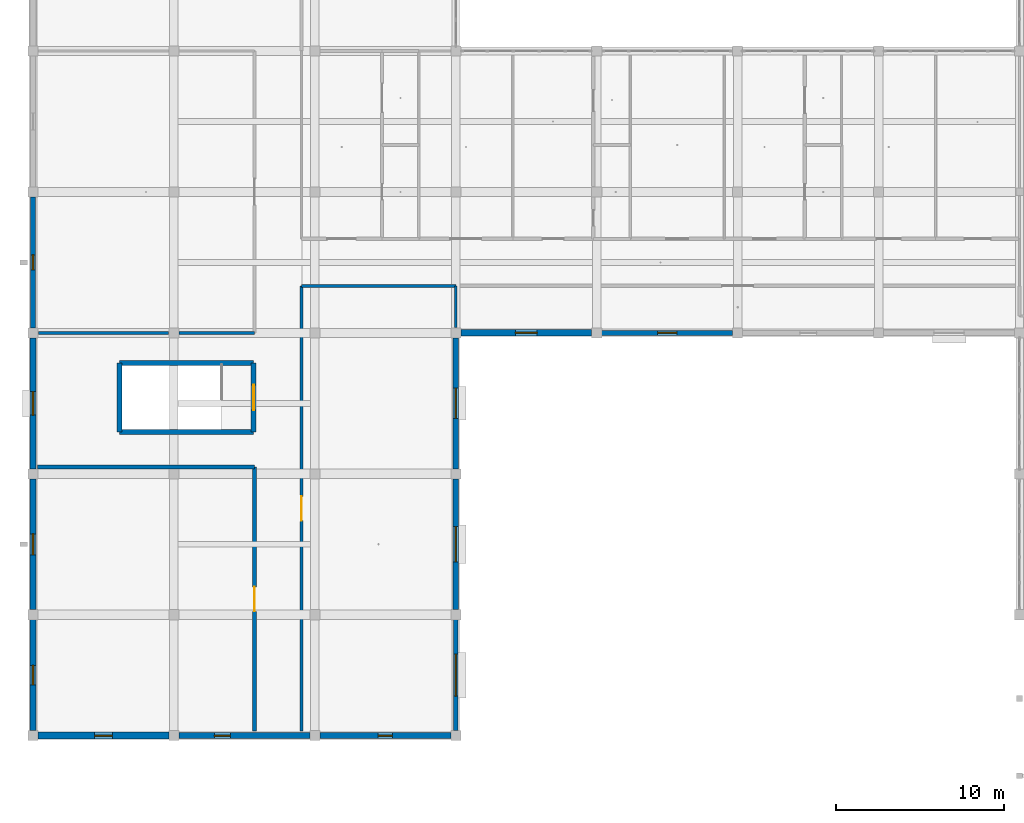
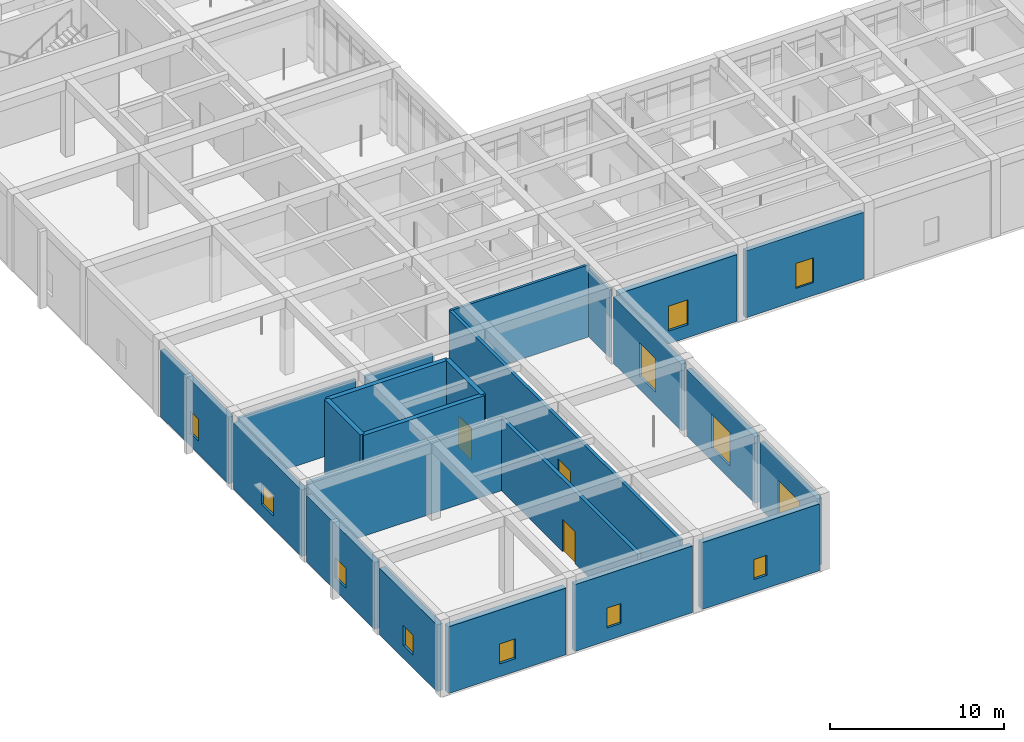
# One storey, part 75 of 157: 23 walls, 12 windows, 3 doors, 15 openings.
"""IFC4 building model written with IfcOpenShell, lengths in metres."""

from ifc_helpers import new_model, si_unit, direction, frame, frame_2d, origin, place, context, subcontext, project, spatial, rectangle, extrude, material, layer, layer_set, type_object, element, fill, save


model = new_model("IFC4")

# Units and contexts
model_context = context("Model", 3, precision=1e-05, world=origin(), true_north=direction((0.0, 1.0)))
body_context = subcontext(model_context, "Body", "Model", "MODEL_VIEW")
ifc_project = project(units=[si_unit("LENGTHUNIT", "METRE"), si_unit("AREAUNIT", "SQUARE_METRE"), si_unit("VOLUMEUNIT", "CUBIC_METRE"), si_unit("PLANEANGLEUNIT", "RADIAN"), si_unit("MASSUNIT", "GRAM", prefix="KILO")], contexts=[model_context])

# Site, building, storey
site_placement = place(None, origin())
site = spatial("IfcSite", under=ifc_project, at=site_placement, CompositionType="ELEMENT")
building_placement = place(site_placement, origin())
building = spatial("IfcBuilding", under=site, at=building_placement, Name="Varncliffe General Hospital", CompositionType="ELEMENT")
storey_placement = place(building_placement, frame((0.0, 0.0, 5.39990234375)))
storey = spatial("IfcBuildingStorey", under=building, at=storey_placement, Name="L01", CompositionType="ELEMENT", Elevation=5.39990234375)

# Wall, opening, window
ifc_material_1 = material(Name="Precast concrete C40/50 with insulated cream lime-cement stucco", Category="concrete")
ifc_layer_1 = layer(ifc_material_1, 0.31005859375)
ifc_layer_set_1 = layer_set([ifc_layer_1], Name="Precast concrete C40/50 with insulated cream lime-cement stucco")
wall_type_1 = type_object("IfcWallType", Name="Exterior Insulated Stucco Wall EW20 (310mm)", PredefinedType="SOLIDWALL", material=ifc_layer_set_1)
wall_1_placement = place(storey_placement, frame((25.199951171875, 15.302001953125, 0.0), z_axis=(0.0, 0.0, 1.0), x_axis=(0.0, -1.0, 0.0)))
wall_1 = element("IfcWall", 1, at=wall_1_placement, inside=storey, type_object=wall_type_1, Name="L01 Exterior Stucco Wall EW20-92", PredefinedType="SOLIDWALL", context=body_context, shape_type="SweptSolid", body=[
    extrude(rectangle(XDim=7.803955078125, YDim=0.31005859375, at=frame_2d((3.90185546875, 0.0))), origin(), (0.0, 0.0, 1.0), 4.68017578125),
])
opening_1_placement = place(wall_1_placement, frame((2.85205078125, 0.0, 0.89990234375)))
opening_1 = element("IfcOpeningElement", 2, at=opening_1_placement, cuts=wall_1, Name="Opening WN50", PredefinedType="OPENING", context=body_context, shape_type="SweptSolid", body=[
    extrude(rectangle(XDim=2.10009765625, YDim=2.35009765625, at=frame_2d((1.050048828125, 1.175048828125))), frame((0.0, 0.1650390625, 0.0), z_axis=(0.0, -1.0, 0.0), x_axis=(1.0, 0.0, 0.0)), (0.0, 0.0, 1.0), 0.330078125),
])
ifc_material_2 = material(Name="Triple low-E argon insulated vision glazing", Category="glass")
window_type_1 = type_object("IfcWindowType", Name="Triple-Glazed Hospital Window WN50 (2100x2350)", PartitioningType="DOUBLE_PANEL_VERTICAL", PredefinedType="WINDOW", material=ifc_material_2)
window_1_placement = place(opening_1_placement, origin())
window_1 = element("IfcWindow", 3, at=window_1_placement, inside=storey, type_object=window_type_1, Name="L01 Hospital Window WN50-43", OverallHeight=2.35009765625, OverallWidth=2.10009765625, PartitioningType="DOUBLE_PANEL_VERTICAL", PredefinedType="WINDOW", context=body_context, shape_type="SweptSolid", body=[
    extrude(rectangle(XDim=2.10009765625, YDim=2.35009765625, at=frame_2d((1.050048828125, 1.175048828125))), frame((0.0, 0.030029296875, 0.0), z_axis=(0.0, -1.0, 0.0), x_axis=(1.0, 0.0, 0.0)), (0.0, 0.0, 1.0), 0.06005859375),
])
fill(opening_1, window_1)

wall_2_placement = place(storey_placement, frame((0.0, 24.298095703125, 0.0), z_axis=(0.0, 0.0, 1.0), x_axis=(0.0, 1.0, 0.0)))
wall_2 = element("IfcWall", 4, at=wall_2_placement, inside=storey, type_object=wall_type_1, Name="L01 Exterior Stucco Wall EW20-100", PredefinedType="SOLIDWALL", context=body_context, shape_type="SweptSolid", body=[
    extrude(rectangle(XDim=7.803955078125, YDim=0.31005859375, at=frame_2d((3.90185546875, 0.0))), origin(), (0.0, 0.0, 1.0), 4.68017578125),
])
opening_2_placement = place(wall_2_placement, frame((3.451904296875, 0.0, 0.89990234375)))
opening_2 = element("IfcOpeningElement", 5, at=opening_2_placement, cuts=wall_2, Name="Opening WN45", PredefinedType="OPENING", context=body_context, shape_type="SweptSolid", body=[
    extrude(rectangle(XDim=0.89990234375, YDim=1.550048828125, at=frame_2d((0.449951171875, 0.77490234375))), frame((0.0, 0.1650390625, 0.0), z_axis=(0.0, -1.0, 0.0), x_axis=(1.0, 0.0, 0.0)), (0.0, 0.0, 1.0), 0.330078125),
])
window_type_2 = type_object("IfcWindowType", Name="Triple-Glazed Hospital Window WN45 (900x1550)", PartitioningType="SINGLE_PANEL", PredefinedType="WINDOW", material=ifc_material_2)
window_2_placement = place(opening_2_placement, origin())
window_2 = element("IfcWindow", 6, at=window_2_placement, inside=storey, type_object=window_type_2, Name="L01 Hospital Window WN45-51", OverallHeight=1.550048828125, OverallWidth=0.89990234375, PartitioningType="SINGLE_PANEL", PredefinedType="WINDOW", context=body_context, shape_type="SweptSolid", body=[
    extrude(rectangle(XDim=0.89990234375, YDim=1.550048828125, at=frame_2d((0.449951171875, 0.77490234375))), frame((0.0, 0.030029296875, 0.0), z_axis=(0.0, -1.0, 0.0), x_axis=(1.0, 0.0, 0.0)), (0.0, 0.0, 1.0), 0.06005859375),
])
fill(opening_2, window_2)

ifc_layer_2 = layer(ifc_material_1, 0.3798828125)
ifc_layer_set_2 = layer_set([ifc_layer_2], Name="Precast concrete C40/50 with insulated cream lime-cement stucco")
wall_type_2 = type_object("IfcWallType", Name="Exterior Insulated Stucco Wall EW26 (380mm)", PredefinedType="SOLIDWALL", material=ifc_layer_set_2)
wall_3_placement = place(storey_placement, frame((24.902099609375, 0.0, 0.0), z_axis=(0.0, 0.0, 1.0), x_axis=(-1.0, 0.0, 0.0)))
wall_3 = element("IfcWall", 7, at=wall_3_placement, inside=storey, type_object=wall_type_2, Name="L01 Exterior Stucco Wall EW26-94", PredefinedType="SOLIDWALL", context=body_context, shape_type="SweptSolid", body=[
    extrude(rectangle(XDim=7.80419921875, YDim=0.3798828125, at=frame_2d((3.902099609375, 0.0))), origin(), (0.0, 0.0, 1.0), 4.68017578125),
])
opening_3_placement = place(wall_3_placement, frame((3.47705078125, 0.0, 0.89990234375)))
opening_3 = element("IfcOpeningElement", 8, at=opening_3_placement, cuts=wall_3, Name="Opening WN77", PredefinedType="OPENING", context=body_context, shape_type="SweptSolid", body=[
    extrude(rectangle(XDim=0.85009765625, YDim=1.39990234375, at=frame_2d((0.425048828125, 0.699951171875))), frame((0.0, 0.199951171875, 0.0), z_axis=(0.0, -1.0, 0.0), x_axis=(1.0, 0.0, 0.0)), (0.0, 0.0, 1.0), 0.39990234375),
])
window_type_3 = type_object("IfcWindowType", Name="Triple-Glazed Hospital Window WN77 (850x1400)", PartitioningType="SINGLE_PANEL", PredefinedType="WINDOW", material=ifc_material_2)
window_3_placement = place(opening_3_placement, origin())
window_3 = element("IfcWindow", 9, at=window_3_placement, inside=storey, type_object=window_type_3, Name="L01 Hospital Window WN77-45", OverallHeight=1.39990234375, OverallWidth=0.85009765625, PartitioningType="SINGLE_PANEL", PredefinedType="WINDOW", context=body_context, shape_type="SweptSolid", body=[
    extrude(rectangle(XDim=0.85009765625, YDim=1.39990234375, at=frame_2d((0.425048828125, 0.699951171875))), frame((0.0, 0.030029296875, 0.0), z_axis=(0.0, -1.0, 0.0), x_axis=(1.0, 0.0, 0.0)), (0.0, 0.0, 1.0), 0.06005859375),
])
fill(opening_3, window_3)

wall_4_placement = place(storey_placement, frame((0.0, 0.298095703125, 0.0), z_axis=(0.0, 0.0, 1.0), x_axis=(0.0, 1.0, 0.0)))
wall_4 = element("IfcWall", 10, at=wall_4_placement, inside=storey, type_object=wall_type_2, Name="L01 Exterior Stucco Wall EW26-97", PredefinedType="SOLIDWALL", context=body_context, shape_type="SweptSolid", body=[
    extrude(rectangle(XDim=6.60400390625, YDim=0.3798828125, at=frame_2d((3.302001953125, 0.0))), origin(), (0.0, 0.0, 1.0), 4.68017578125),
])
opening_4_placement = place(wall_4_placement, frame((2.72705078125, 0.0, 0.89990234375)))
opening_4 = element("IfcOpeningElement", 11, at=opening_4_placement, cuts=wall_4, Name="Opening WN62", PredefinedType="OPENING", context=body_context, shape_type="SweptSolid", body=[
    extrude(rectangle(XDim=1.14990234375, YDim=1.39990234375, at=frame_2d((0.574951171875, 0.699951171875))), frame((0.0, 0.199951171875, 0.0), z_axis=(0.0, -1.0, 0.0), x_axis=(1.0, 0.0, 0.0)), (0.0, 0.0, 1.0), 0.39990234375),
])
window_type_4 = type_object("IfcWindowType", Name="Triple-Glazed Hospital Window WN62 (1150x1400)", PartitioningType="SINGLE_PANEL", PredefinedType="WINDOW", material=ifc_material_2)
window_4_placement = place(opening_4_placement, origin())
window_4 = element("IfcWindow", 12, at=window_4_placement, inside=storey, type_object=window_type_4, Name="L01 Hospital Window WN62-48", OverallHeight=1.39990234375, OverallWidth=1.14990234375, PartitioningType="SINGLE_PANEL", PredefinedType="WINDOW", context=body_context, shape_type="SweptSolid", body=[
    extrude(rectangle(XDim=1.14990234375, YDim=1.39990234375, at=frame_2d((0.574951171875, 0.699951171875))), frame((0.0, 0.030029296875, 0.0), z_axis=(0.0, -1.0, 0.0), x_axis=(1.0, 0.0, 0.0)), (0.0, 0.0, 1.0), 0.06005859375),
])
fill(opening_4, window_4)

wall_5_placement = place(storey_placement, frame((33.302001953125, 24.0, 0.0), z_axis=(0.0, 0.0, 1.0), x_axis=(-1.0, 0.0, 0.0)))
wall_5 = element("IfcWall", 13, at=wall_5_placement, inside=storey, type_object=wall_type_2, Name="L01 Exterior Stucco Wall EW26-166", PredefinedType="SOLIDWALL", context=body_context, shape_type="SweptSolid", body=[
    extrude(rectangle(XDim=7.803955078125, YDim=0.3798828125, at=frame_2d((3.90185546875, 0.0))), origin(), (0.0, 0.0, 1.0), 4.68017578125),
])
opening_5_placement = place(wall_5_placement, frame((3.251953125, 0.0, 0.89990234375)))
opening_5 = element("IfcOpeningElement", 14, at=opening_5_placement, cuts=wall_5, Name="Opening WN40", PredefinedType="OPENING", context=body_context, shape_type="SweptSolid", body=[
    extrude(rectangle(XDim=1.300048828125, YDim=1.75, at=frame_2d((0.64990234375, 0.875))), frame((0.0, 0.199951171875, 0.0), z_axis=(0.0, -1.0, 0.0), x_axis=(1.0, 0.0, 0.0)), (0.0, 0.0, 1.0), 0.39990234375),
])
window_type_5 = type_object("IfcWindowType", Name="Triple-Glazed Hospital Window WN40 (1300x1750)", PartitioningType="SINGLE_PANEL", PredefinedType="WINDOW", material=ifc_material_2)
window_5_placement = place(opening_5_placement, origin())
window_5 = element("IfcWindow", 15, at=window_5_placement, inside=storey, type_object=window_type_5, Name="L01 Hospital Window WN40-105", OverallHeight=1.75, OverallWidth=1.300048828125, PartitioningType="SINGLE_PANEL", PredefinedType="WINDOW", context=body_context, shape_type="SweptSolid", body=[
    extrude(rectangle(XDim=1.300048828125, YDim=1.75, at=frame_2d((0.64990234375, 0.875))), frame((0.0, 0.030029296875, 0.0), z_axis=(0.0, -1.0, 0.0), x_axis=(1.0, 0.0, 0.0)), (0.0, 0.0, 1.0), 0.06005859375),
])
fill(opening_5, window_5)

ifc_layer_3 = layer(ifc_material_1, 0.2900390625)
ifc_layer_set_3 = layer_set([ifc_layer_3], Name="Precast concrete C40/50 with insulated cream lime-cement stucco")
wall_type_3 = type_object("IfcWallType", Name="Exterior Insulated Stucco Wall EW31 (290mm)", PredefinedType="SOLIDWALL", material=ifc_layer_set_3)
wall_6_placement = place(storey_placement, frame((25.199951171875, 6.902099609375, 0.0), z_axis=(0.0, 0.0, 1.0), x_axis=(0.0, -1.0, 0.0)))
wall_6 = element("IfcWall", 16, at=wall_6_placement, inside=storey, type_object=wall_type_3, Name="L01 Exterior Stucco Wall EW31-93", PredefinedType="SOLIDWALL", context=body_context, shape_type="SweptSolid", body=[
    extrude(rectangle(XDim=6.60400390625, YDim=0.2900390625, at=frame_2d((3.302001953125, 0.0))), origin(), (0.0, 0.0, 1.0), 4.68017578125),
])
opening_6_placement = place(wall_6_placement, frame((2.052001953125, 0.0, 0.89990234375)))
opening_6 = element("IfcOpeningElement", 17, at=opening_6_placement, cuts=wall_6, Name="Opening WN80", PredefinedType="OPENING", context=body_context, shape_type="SweptSolid", body=[
    extrude(rectangle(XDim=2.5, YDim=2.35009765625, at=frame_2d((1.25, 1.175048828125))), frame((0.0, 0.155029296875, 0.0), z_axis=(0.0, -1.0, 0.0), x_axis=(1.0, 0.0, 0.0)), (0.0, 0.0, 1.0), 0.31005859375),
])
window_type_6 = type_object("IfcWindowType", Name="Triple-Glazed Hospital Window WN80 (2500x2350)", PartitioningType="DOUBLE_PANEL_VERTICAL", PredefinedType="WINDOW", material=ifc_material_2)
window_6_placement = place(opening_6_placement, origin())
window_6 = element("IfcWindow", 18, at=window_6_placement, inside=storey, type_object=window_type_6, Name="L01 Hospital Window WN80-44", OverallHeight=2.35009765625, OverallWidth=2.5, PartitioningType="DOUBLE_PANEL_VERTICAL", PredefinedType="WINDOW", context=body_context, shape_type="SweptSolid", body=[
    extrude(rectangle(XDim=2.5, YDim=2.35009765625, at=frame_2d((1.25, 1.175048828125))), frame((0.0, 0.030029296875, 0.0), z_axis=(0.0, -1.0, 0.0), x_axis=(1.0, 0.0, 0.0)), (0.0, 0.0, 1.0), 0.06005859375),
])
fill(opening_6, window_6)

wall_7_placement = place(storey_placement, frame((41.701904296875, 24.0, 0.0), z_axis=(0.0, 0.0, 1.0), x_axis=(-1.0, 0.0, 0.0)))
wall_7 = element("IfcWall", 19, at=wall_7_placement, inside=storey, type_object=wall_type_3, Name="L01 Exterior Stucco Wall EW31-165", PredefinedType="SOLIDWALL", context=body_context, shape_type="SweptSolid", body=[
    extrude(rectangle(XDim=7.803955078125, YDim=0.2900390625, at=frame_2d((3.90185546875, 0.0))), origin(), (0.0, 0.0, 1.0), 4.68017578125),
])
opening_7_placement = place(wall_7_placement, frame((3.326904296875, 0.0, 0.89990234375)))
opening_7 = element("IfcOpeningElement", 20, at=opening_7_placement, cuts=wall_7, Name="Opening WN60", PredefinedType="OPENING", context=body_context, shape_type="SweptSolid", body=[
    extrude(rectangle(XDim=1.14990234375, YDim=1.75, at=frame_2d((0.574951171875, 0.875))), frame((0.0, 0.155029296875, 0.0), z_axis=(0.0, -1.0, 0.0), x_axis=(1.0, 0.0, 0.0)), (0.0, 0.0, 1.0), 0.31005859375),
])
window_type_7 = type_object("IfcWindowType", Name="Triple-Glazed Hospital Window WN60 (1150x1750)", PartitioningType="SINGLE_PANEL", PredefinedType="WINDOW", material=ifc_material_2)
window_7_placement = place(opening_7_placement, origin())
window_7 = element("IfcWindow", 21, at=window_7_placement, inside=storey, type_object=window_type_7, Name="L01 Hospital Window WN60-104", OverallHeight=1.75, OverallWidth=1.14990234375, PartitioningType="SINGLE_PANEL", PredefinedType="WINDOW", context=body_context, shape_type="SweptSolid", body=[
    extrude(rectangle(XDim=1.14990234375, YDim=1.75, at=frame_2d((0.574951171875, 0.875))), frame((0.0, 0.030029296875, 0.0), z_axis=(0.0, -1.0, 0.0), x_axis=(1.0, 0.0, 0.0)), (0.0, 0.0, 1.0), 0.06005859375),
])
fill(opening_7, window_7)

ifc_layer_4 = layer(ifc_material_1, 0.330078125)
ifc_layer_set_4 = layer_set([ifc_layer_4], Name="Precast concrete C40/50 with insulated cream lime-cement stucco")
wall_type_4 = type_object("IfcWallType", Name="Exterior Insulated Stucco Wall EW33 (330mm)", PredefinedType="SOLIDWALL", material=ifc_layer_set_4)
wall_8_placement = place(storey_placement, frame((25.199951171875, 23.701904296875, 0.0), z_axis=(0.0, 0.0, 1.0), x_axis=(0.0, -1.0, 0.0)))
wall_8 = element("IfcWall", 22, at=wall_8_placement, inside=storey, type_object=wall_type_4, Name="L01 Exterior Stucco Wall EW33-91", PredefinedType="SOLIDWALL", context=body_context, shape_type="SweptSolid", body=[
    extrude(rectangle(XDim=7.803955078125, YDim=0.330078125, at=frame_2d((3.90185546875, 0.0))), origin(), (0.0, 0.0, 1.0), 4.68017578125),
])
opening_8_placement = place(wall_8_placement, frame((3.001953125, 0.0, 0.89990234375)))
opening_8 = element("IfcOpeningElement", 23, at=opening_8_placement, cuts=wall_8, Name="Opening WN12", PredefinedType="OPENING", context=body_context, shape_type="SweptSolid", body=[
    extrude(rectangle(XDim=1.800048828125, YDim=2.35009765625, at=frame_2d((0.89990234375, 1.175048828125))), frame((0.0, 0.175048828125, 0.0), z_axis=(0.0, -1.0, 0.0), x_axis=(1.0, 0.0, 0.0)), (0.0, 0.0, 1.0), 0.35009765625),
])
window_type_8 = type_object("IfcWindowType", Name="Triple-Glazed Hospital Window WN12 (1800x2350)", PartitioningType="DOUBLE_PANEL_VERTICAL", PredefinedType="WINDOW", material=ifc_material_2)
window_8_placement = place(opening_8_placement, origin())
window_8 = element("IfcWindow", 24, at=window_8_placement, inside=storey, type_object=window_type_8, Name="L01 Hospital Window WN12-42", OverallHeight=2.35009765625, OverallWidth=1.800048828125, PartitioningType="DOUBLE_PANEL_VERTICAL", PredefinedType="WINDOW", context=body_context, shape_type="SweptSolid", body=[
    extrude(rectangle(XDim=1.800048828125, YDim=2.35009765625, at=frame_2d((0.89990234375, 1.175048828125))), frame((0.0, 0.030029296875, 0.0), z_axis=(0.0, -1.0, 0.0), x_axis=(1.0, 0.0, 0.0)), (0.0, 0.0, 1.0), 0.06005859375),
])
fill(opening_8, window_8)

wall_9_placement = place(storey_placement, frame((0.0, 15.89794921875, 0.0), z_axis=(0.0, 0.0, 1.0), x_axis=(0.0, 1.0, 0.0)))
wall_9 = element("IfcWall", 25, at=wall_9_placement, inside=storey, type_object=wall_type_4, Name="L01 Exterior Stucco Wall EW33-99", PredefinedType="SOLIDWALL", context=body_context, shape_type="SweptSolid", body=[
    extrude(rectangle(XDim=7.803955078125, YDim=0.330078125, at=frame_2d((3.90185546875, 0.0))), origin(), (0.0, 0.0, 1.0), 4.68017578125),
])
opening_9_placement = place(wall_9_placement, frame((3.201904296875, 0.0, 0.89990234375)))
opening_9 = element("IfcOpeningElement", 26, at=opening_9_placement, cuts=wall_9, Name="Opening WN76", PredefinedType="OPENING", context=body_context, shape_type="SweptSolid", body=[
    extrude(rectangle(XDim=1.39990234375, YDim=1.39990234375, at=frame_2d((0.699951171875, 0.699951171875))), frame((0.0, 0.175048828125, 0.0), z_axis=(0.0, -1.0, 0.0), x_axis=(1.0, 0.0, 0.0)), (0.0, 0.0, 1.0), 0.35009765625),
])
window_type_9 = type_object("IfcWindowType", Name="Triple-Glazed Hospital Window WN76 (1400x1400)", PartitioningType="SINGLE_PANEL", PredefinedType="WINDOW", material=ifc_material_2)
window_9_placement = place(opening_9_placement, origin())
window_9 = element("IfcWindow", 27, at=window_9_placement, inside=storey, type_object=window_type_9, Name="L01 Hospital Window WN76-50", OverallHeight=1.39990234375, OverallWidth=1.39990234375, PartitioningType="SINGLE_PANEL", PredefinedType="WINDOW", context=body_context, shape_type="SweptSolid", body=[
    extrude(rectangle(XDim=1.39990234375, YDim=1.39990234375, at=frame_2d((0.699951171875, 0.699951171875))), frame((0.0, 0.030029296875, 0.0), z_axis=(0.0, -1.0, 0.0), x_axis=(1.0, 0.0, 0.0)), (0.0, 0.0, 1.0), 0.06005859375),
])
fill(opening_9, window_9)

ifc_layer_5 = layer(ifc_material_1, 0.35009765625)
ifc_layer_set_5 = layer_set([ifc_layer_5], Name="Precast concrete C40/50 with insulated cream lime-cement stucco")
wall_type_5 = type_object("IfcWallType", Name="Exterior Insulated Stucco Wall EW37 (350mm)", PredefinedType="SOLIDWALL", material=ifc_layer_set_5)
wall_10_placement = place(storey_placement, frame((16.501953125, 0.0, 0.0), z_axis=(0.0, 0.0, 1.0), x_axis=(-1.0, 0.0, 0.0)))
wall_10 = element("IfcWall", 28, at=wall_10_placement, inside=storey, type_object=wall_type_5, Name="L01 Exterior Stucco Wall EW37-95", PredefinedType="SOLIDWALL", context=body_context, shape_type="SweptSolid", body=[
    extrude(rectangle(XDim=7.803955078125, YDim=0.35009765625, at=frame_2d((3.90185546875, 0.0))), origin(), (0.0, 0.0, 1.0), 4.68017578125),
])
opening_10_placement = place(wall_10_placement, frame((4.73681640625, 0.0, 0.89990234375)))
opening_10 = element("IfcOpeningElement", 29, at=opening_10_placement, cuts=wall_10, Name="Opening WN39", PredefinedType="OPENING", context=body_context, shape_type="SweptSolid", body=[
    extrude(rectangle(XDim=0.949951171875, YDim=1.39990234375, at=frame_2d((0.47509765625, 0.699951171875))), frame((0.0, 0.18505859375, 0.0), z_axis=(0.0, -1.0, 0.0), x_axis=(1.0, 0.0, 0.0)), (0.0, 0.0, 1.0), 0.3701171875),
])
window_type_10 = type_object("IfcWindowType", Name="Triple-Glazed Hospital Window WN39 (950x1400)", PartitioningType="SINGLE_PANEL", PredefinedType="WINDOW", material=ifc_material_2)
window_10_placement = place(opening_10_placement, origin())
window_10 = element("IfcWindow", 30, at=window_10_placement, inside=storey, type_object=window_type_10, Name="L01 Hospital Window WN39-46", OverallHeight=1.39990234375, OverallWidth=0.949951171875, PartitioningType="SINGLE_PANEL", PredefinedType="WINDOW", context=body_context, shape_type="SweptSolid", body=[
    extrude(rectangle(XDim=0.949951171875, YDim=1.39990234375, at=frame_2d((0.47509765625, 0.699951171875))), frame((0.0, 0.030029296875, 0.0), z_axis=(0.0, -1.0, 0.0), x_axis=(1.0, 0.0, 0.0)), (0.0, 0.0, 1.0), 0.06005859375),
])
fill(opening_10, window_10)

wall_11_placement = place(storey_placement, frame((0.0, 7.498046875, 0.0), z_axis=(0.0, 0.0, 1.0), x_axis=(0.0, 1.0, 0.0)))
wall_11 = element("IfcWall", 31, at=wall_11_placement, inside=storey, type_object=wall_type_5, Name="L01 Exterior Stucco Wall EW37-98", PredefinedType="SOLIDWALL", context=body_context, shape_type="SweptSolid", body=[
    extrude(rectangle(XDim=7.803955078125, YDim=0.35009765625, at=frame_2d((3.90185546875, 0.0))), origin(), (0.0, 0.0, 1.0), 4.68017578125),
])
opening_11_placement = place(wall_11_placement, frame((3.277099609375, 0.0, 0.89990234375)))
opening_11 = element("IfcOpeningElement", 32, at=opening_11_placement, cuts=wall_11, Name="Opening WN43", PredefinedType="OPENING", context=body_context, shape_type="SweptSolid", body=[
    extrude(rectangle(XDim=1.25, YDim=1.39990234375, at=frame_2d((0.625, 0.699951171875))), frame((0.0, 0.18505859375, 0.0), z_axis=(0.0, -1.0, 0.0), x_axis=(1.0, 0.0, 0.0)), (0.0, 0.0, 1.0), 0.3701171875),
])
window_type_11 = type_object("IfcWindowType", Name="Triple-Glazed Hospital Window WN43 (1250x1400)", PartitioningType="SINGLE_PANEL", PredefinedType="WINDOW", material=ifc_material_2)
window_11_placement = place(opening_11_placement, origin())
window_11 = element("IfcWindow", 33, at=window_11_placement, inside=storey, type_object=window_type_11, Name="L01 Hospital Window WN43-49", OverallHeight=1.39990234375, OverallWidth=1.25, PartitioningType="SINGLE_PANEL", PredefinedType="WINDOW", context=body_context, shape_type="SweptSolid", body=[
    extrude(rectangle(XDim=1.25, YDim=1.39990234375, at=frame_2d((0.625, 0.699951171875))), frame((0.0, 0.030029296875, 0.0), z_axis=(0.0, -1.0, 0.0), x_axis=(1.0, 0.0, 0.0)), (0.0, 0.0, 1.0), 0.06005859375),
])
fill(opening_11, window_11)

ifc_layer_6 = layer(ifc_material_1, 0.39990234375)
ifc_layer_set_6 = layer_set([ifc_layer_6], Name="Precast concrete C40/50 with insulated cream lime-cement stucco")
wall_type_6 = type_object("IfcWallType", Name="Exterior Insulated Stucco Wall EW47 (400mm)", PredefinedType="SOLIDWALL", material=ifc_layer_set_6)
wall_12_placement = place(storey_placement, frame((8.10205078125, 0.0, 0.0), z_axis=(0.0, 0.0, 1.0), x_axis=(-1.0, 0.0, 0.0)))
wall_12 = element("IfcWall", 34, at=wall_12_placement, inside=storey, type_object=wall_type_6, Name="L01 Exterior Stucco Wall EW47-96", PredefinedType="SOLIDWALL", context=body_context, shape_type="SweptSolid", body=[
    extrude(rectangle(XDim=7.803955078125, YDim=0.39990234375, at=frame_2d((3.90185546875, 0.0))), origin(), (0.0, 0.0, 1.0), 4.68017578125),
])
opening_12_placement = place(wall_12_placement, frame((3.376953125, 0.0, 0.89990234375)))
opening_12 = element("IfcOpeningElement", 35, at=opening_12_placement, cuts=wall_12, Name="Opening WN68", PredefinedType="OPENING", context=body_context, shape_type="SweptSolid", body=[
    extrude(rectangle(XDim=1.050048828125, YDim=1.39990234375, at=frame_2d((0.52490234375, 0.699951171875))), frame((0.0, 0.2099609375, 0.0), z_axis=(0.0, -1.0, 0.0), x_axis=(1.0, 0.0, 0.0)), (0.0, 0.0, 1.0), 0.419921875),
])
window_type_12 = type_object("IfcWindowType", Name="Triple-Glazed Hospital Window WN68 (1050x1400)", PartitioningType="SINGLE_PANEL", PredefinedType="WINDOW", material=ifc_material_2)
window_12_placement = place(opening_12_placement, origin())
window_12 = element("IfcWindow", 36, at=window_12_placement, inside=storey, type_object=window_type_12, Name="L01 Hospital Window WN68-47", OverallHeight=1.39990234375, OverallWidth=1.050048828125, PartitioningType="SINGLE_PANEL", PredefinedType="WINDOW", context=body_context, shape_type="SweptSolid", body=[
    extrude(rectangle(XDim=1.050048828125, YDim=1.39990234375, at=frame_2d((0.52490234375, 0.699951171875))), frame((0.0, 0.030029296875, 0.0), z_axis=(0.0, -1.0, 0.0), x_axis=(1.0, 0.0, 0.0)), (0.0, 0.0, 1.0), 0.06005859375),
])
fill(opening_12, window_12)

# Walls
ifc_material_3 = material(Name="Acoustic clinical gypsum stud partition assembly", Category="gypsum")
ifc_layer_7 = layer(ifc_material_3, 0.169921875)
ifc_layer_set_7 = layer_set([ifc_layer_7], Name="Acoustic clinical gypsum stud partition assembly")
wall_type_7 = type_object("IfcWallType", Name="Interior Partitioning IW20 (170mm)", PredefinedType="PARTITIONING", material=ifc_layer_set_7)
wall_13_placement = place(storey_placement, frame((0.31494140625, 24.0, 0.0), z_axis=(0.0, 0.0, 1.0), x_axis=(1.0, 0.0, 0.0)))
element("IfcWall", 37, at=wall_13_placement, inside=storey, type_object=wall_type_7, Name="L01 Interior Partition Wall IW20-430", PredefinedType="PARTITIONING", context=body_context, shape_type="SweptSolid", body=[
    extrude(rectangle(XDim=7.77001953125, YDim=0.169921875, at=frame_2d((3.885009765625, 0.0))), origin(), (0.0, 0.0, 1.0), 4.68505859375),
])
wall_14_placement = place(storey_placement, frame((8.715087890625, 24.0, 0.0), z_axis=(0.0, 0.0, 1.0), x_axis=(1.0, 0.0, 0.0)))
element("IfcWall", 38, at=wall_14_placement, inside=storey, type_object=wall_type_7, Name="L01 Interior Partition Wall IW20-431", PredefinedType="PARTITIONING", context=body_context, shape_type="SweptSolid", body=[
    extrude(rectangle(XDim=4.48486328125, YDim=0.169921875, at=frame_2d((2.242431640625, 0.0))), origin(), (0.0, 0.0, 1.0), 4.68505859375),
])
wall_15_placement = place(storey_placement, frame((16.0, 26.800048828125, 0.0), z_axis=(0.0, 0.0, 1.0), x_axis=(1.0, 0.0, 0.0)))
element("IfcWall", 39, at=wall_15_placement, inside=storey, type_object=wall_type_7, Name="L01 Interior Partition Wall IW20-435", PredefinedType="PARTITIONING", context=body_context, shape_type="SweptSolid", body=[
    extrude(rectangle(XDim=9.199951171875, YDim=0.169921875, at=frame_2d((4.60009765625, 0.0))), origin(), (0.0, 0.0, 1.0), 5.050048828125),
])
ifc_layer_8 = layer(ifc_material_3, 0.14990234375)
ifc_layer_set_8 = layer_set([ifc_layer_8], Name="Acoustic clinical gypsum stud partition assembly")
wall_type_8 = type_object("IfcWallType", Name="Interior Partitioning IW35 (150mm)", PredefinedType="PARTITIONING", material=ifc_layer_set_8)
wall_16_placement = place(storey_placement, frame((25.199951171875, 24.31494140625, 0.0), z_axis=(0.0, 0.0, 1.0), x_axis=(0.0, 1.0, 0.0)))
element("IfcWall", 40, at=wall_16_placement, inside=storey, type_object=wall_type_8, Name="L01 Interior Partition Wall IW35-704", PredefinedType="PARTITIONING", context=body_context, shape_type="SweptSolid", body=[
    extrude(rectangle(XDim=2.485107421875, YDim=0.14990234375, at=frame_2d((1.24267578125, 0.0))), origin(), (0.0, 0.0, 1.0), 4.735107421875),
])
ifc_material_4 = material(Name="Fire-rated gypsum and mineral-wool partition assembly", Category="gypsum")
ifc_layer_9 = layer(ifc_material_4, 0.22998046875)
ifc_layer_set_9 = layer_set([ifc_layer_9], Name="Fire-rated gypsum and mineral-wool partition assembly")
wall_type_9 = type_object("IfcWallType", Name="Interior Partitioning PW48 (230mm)", PredefinedType="PARTITIONING", material=ifc_layer_set_9)
wall_17_placement = place(storey_placement, frame((0.260009765625, 16.0, 0.0), z_axis=(0.0, 0.0, 1.0), x_axis=(1.0, 0.0, 0.0)))
element("IfcWall", 41, at=wall_17_placement, inside=storey, type_object=wall_type_9, Name="L01 Interior Partition Wall PW48-428", PredefinedType="PARTITIONING", context=body_context, shape_type="SweptSolid", body=[
    extrude(rectangle(XDim=12.93994140625, YDim=0.22998046875, at=frame_2d((6.469970703125, 0.0))), origin(), (0.0, 0.0, 1.0), 5.050048828125),
])

# Wall, opening, door
wall_18_placement = place(storey_placement, frame((13.199951171875, 0.260009765625, 0.0), z_axis=(0.0, 0.0, 1.0), x_axis=(0.0, 1.0, 0.0)))
wall_18 = element("IfcWall", 42, at=wall_18_placement, inside=storey, type_object=wall_type_9, Name="L01 Interior Partition Wall PW48-678", PredefinedType="PARTITIONING", context=body_context, shape_type="SweptSolid", body=[
    extrude(rectangle(XDim=15.739990234375, YDim=0.22998046875, at=frame_2d((7.8701171875, 0.0))), origin(), (0.0, 0.0, 1.0), 5.050048828125),
])
opening_13_placement = place(wall_18_placement, frame((7.14501953125, 0.0, 0.0)))
opening_13 = element("IfcOpeningElement", 43, at=opening_13_placement, cuts=wall_18, Name="Opening DC66", PredefinedType="OPENING", context=body_context, shape_type="SweptSolid", body=[
    extrude(rectangle(XDim=1.449951171875, YDim=2.25, at=frame_2d((0.72509765625, 1.125))), frame((0.0, 0.125, 0.0), z_axis=(0.0, -1.0, 0.0), x_axis=(1.0, 0.0, 0.0)), (0.0, 0.0, 1.0), 0.25),
])
ifc_material_5 = material(Name="Fire-rated hospital steel-frame vision-panel door", Category="steel")
door_type_1 = type_object("IfcDoorType", Name="Interior Hospital Door DC66 (1450x2250)", OperationType="NOTDEFINED", PredefinedType="DOOR", material=ifc_material_5)
door_1_placement = place(opening_13_placement, origin())
door_1 = element("IfcDoor", 44, at=door_1_placement, inside=storey, type_object=door_type_1, Name="L01 Emergency Clinical Equipment Store Door", OperationType="SINGLE_SWING_RIGHT", OverallHeight=2.25, OverallWidth=1.449951171875, PredefinedType="DOOR", context=body_context, shape_type="SweptSolid", body=[
    extrude(rectangle(XDim=1.449951171875, YDim=2.25, at=frame_2d((0.72509765625, 1.125))), frame((0.0, 0.02490234375, 0.0), z_axis=(0.0, -1.0, 0.0), x_axis=(1.0, 0.0, 0.0)), (0.0, 0.0, 1.0), 0.050048828125),
])
fill(opening_13, door_1)

ifc_layer_10 = layer(ifc_material_4, 0.199951171875)
ifc_layer_set_10 = layer_set([ifc_layer_10], Name="Fire-rated gypsum and mineral-wool partition assembly")
wall_type_10 = type_object("IfcWallType", Name="Interior Partitioning PW63 (200mm)", PredefinedType="PARTITIONING", material=ifc_layer_set_10)
wall_19_placement = place(storey_placement, frame((16.0, 0.260009765625, 0.0), z_axis=(0.0, 0.0, 1.0), x_axis=(0.0, 1.0, 0.0)))
wall_19 = element("IfcWall", 45, at=wall_19_placement, inside=storey, type_object=wall_type_10, Name="L01 Interior Partition Wall PW63-685", PredefinedType="PARTITIONING", context=body_context, shape_type="SweptSolid", body=[
    extrude(rectangle(XDim=26.5400390625, YDim=0.199951171875, at=frame_2d((13.27001953125, 0.0))), origin(), (0.0, 0.0, 1.0), 5.050048828125),
])
opening_14_placement = place(wall_19_placement, frame((12.544921875, 0.0, 0.0)))
opening_14 = element("IfcOpeningElement", 46, at=opening_14_placement, cuts=wall_19, Name="Opening DC66", PredefinedType="OPENING", context=body_context, shape_type="SweptSolid", body=[
    extrude(rectangle(XDim=1.449951171875, YDim=2.25, at=frame_2d((0.72509765625, 1.125))), frame((0.0, 0.10986328125, 0.0), z_axis=(0.0, -1.0, 0.0), x_axis=(1.0, 0.0, 0.0)), (0.0, 0.0, 1.0), 0.219970703125),
])
door_2_placement = place(opening_14_placement, frame((1.449951171875, 0.0, 0.0), z_axis=(0.0, 0.0, 1.0), x_axis=(-1.0, 0.0, 0.0)))
door_2 = element("IfcDoor", 47, at=door_2_placement, inside=storey, type_object=door_type_1, Name="L01 Emergency Sub-Acute Assessment Unit Door", OperationType="SINGLE_SWING_LEFT", OverallHeight=2.25, OverallWidth=1.449951171875, PredefinedType="DOOR", context=body_context, shape_type="SweptSolid", body=[
    extrude(rectangle(XDim=1.449951171875, YDim=2.25, at=frame_2d((0.72509765625, 1.125))), frame((0.0, 0.02490234375, 0.0), z_axis=(0.0, -1.0, 0.0), x_axis=(1.0, 0.0, 0.0)), (0.0, 0.0, 1.0), 0.050048828125),
])
fill(opening_14, door_2)

# Walls
ifc_material_6 = material(Name="Concrete C40/50 (CSA A23.1 40 MPa)", Category="concrete")
ifc_layer_11 = layer(ifc_material_6, 0.300048828125)
ifc_layer_set_11 = layer_set([ifc_layer_11], Name="Concrete C40/50 (CSA A23.1 40 MPa)")
wall_type_11 = type_object("IfcWallType", Name="Reinforced Concrete Core Shear Wall CW12 (300mm)", PredefinedType="SHEAR", material=ifc_layer_set_11)
wall_20_placement = place(storey_placement, frame((13.14990234375, 22.199951171875, 0.0), z_axis=(0.0, 0.0, 1.0), x_axis=(-1.0, 0.0, 0.0)))
element("IfcWall", 48, at=wall_20_placement, inside=storey, type_object=wall_type_11, Name="L01 ST08 Core Shear Wall L", PredefinedType="SHEAR", context=body_context, shape_type="SweptSolid", body=[
    extrude(rectangle(XDim=8.0, YDim=0.300048828125, at=frame_2d((4.0, 0.0))), origin(), (0.0, 0.0, 1.0), 5.400146484375),
])
wall_21_placement = place(storey_placement, frame((5.14990234375, 22.199951171875, 0.0), z_axis=(0.0, 0.0, 1.0), x_axis=(0.0, -1.0, 0.0)))
element("IfcWall", 49, at=wall_21_placement, inside=storey, type_object=wall_type_11, Name="L01 ST08 Core Shear Wall F", PredefinedType="SHEAR", context=body_context, shape_type="SweptSolid", body=[
    extrude(rectangle(XDim=4.099853515625, YDim=0.300048828125, at=frame_2d((2.0498046875, 0.0))), origin(), (0.0, 0.0, 1.0), 5.400146484375),
])
wall_22_placement = place(storey_placement, frame((5.14990234375, 18.10009765625, 0.0), z_axis=(0.0, 0.0, 1.0), x_axis=(1.0, 0.0, 0.0)))
element("IfcWall", 50, at=wall_22_placement, inside=storey, type_object=wall_type_11, Name="L01 ST08 Core Shear Wall R", PredefinedType="SHEAR", context=body_context, shape_type="SweptSolid", body=[
    extrude(rectangle(XDim=8.0, YDim=0.300048828125, at=frame_2d((4.0, 0.0))), origin(), (0.0, 0.0, 1.0), 5.400146484375),
])

# Wall, opening, door
wall_23_placement = place(storey_placement, frame((13.14990234375, 18.10009765625, 0.0), z_axis=(0.0, 0.0, 1.0), x_axis=(0.0, 1.0, 0.0)))
wall_23 = element("IfcWall", 51, at=wall_23_placement, inside=storey, type_object=wall_type_11, Name="L01 ST08 Core Shear Wall N", PredefinedType="SHEAR", context=body_context, shape_type="SweptSolid", body=[
    extrude(rectangle(XDim=4.099853515625, YDim=0.300048828125, at=frame_2d((2.0498046875, 0.0))), origin(), (0.0, 0.0, 1.0), 5.400146484375),
])
opening_15_placement = place(wall_23_placement, frame((1.300048828125, 0.0, 0.0)))
opening_15 = element("IfcOpeningElement", 52, at=opening_15_placement, cuts=wall_23, Name="Opening DF28", PredefinedType="OPENING", context=body_context, shape_type="SweptSolid", body=[
    extrude(rectangle(XDim=1.5, YDim=2.199951171875, at=frame_2d((0.75, 1.10009765625))), frame((0.0, 0.16015625, 0.0), z_axis=(0.0, -1.0, 0.0), x_axis=(1.0, 0.0, 0.0)), (0.0, 0.0, 1.0), 0.320068359375),
])
door_type_2 = type_object("IfcDoorType", Name="Interior Hospital Door DF28 (1500x2200)", OperationType="NOTDEFINED", PredefinedType="DOOR", material=ifc_material_5)
door_3_placement = place(opening_15_placement, frame((1.5, 0.0, 0.0), z_axis=(0.0, 0.0, 1.0), x_axis=(-1.0, 0.0, 0.0)))
door_3 = element("IfcDoor", 53, at=door_3_placement, inside=storey, type_object=door_type_2, Name="L01 ST08 Protected Exit Stair Door", OperationType="SINGLE_SWING_RIGHT", OverallHeight=2.199951171875, OverallWidth=1.5, PredefinedType="DOOR", context=body_context, shape_type="SweptSolid", body=[
    extrude(rectangle(XDim=1.5, YDim=2.199951171875, at=frame_2d((0.75, 1.10009765625))), frame((0.0, 0.02490234375, 0.0), z_axis=(0.0, -1.0, 0.0), x_axis=(1.0, 0.0, 0.0)), (0.0, 0.0, 1.0), 0.050048828125),
])
fill(opening_15, door_3)

save(model, "model.ifc")
